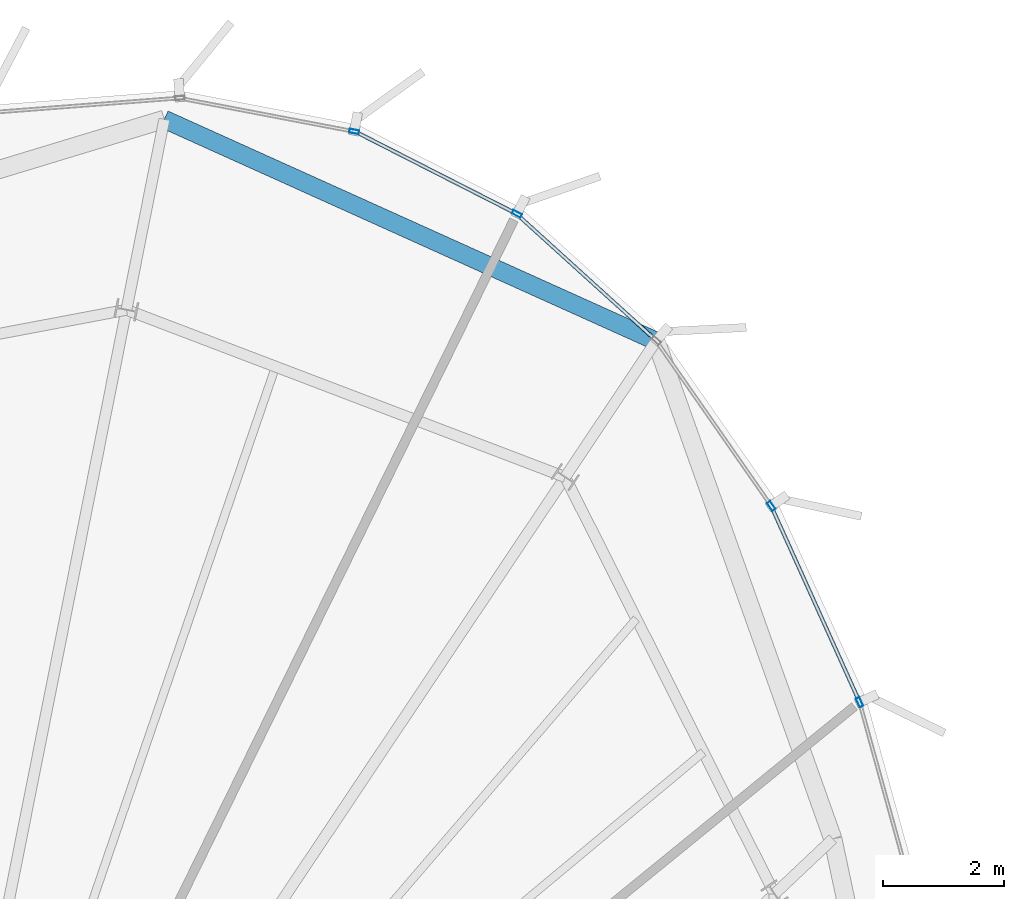
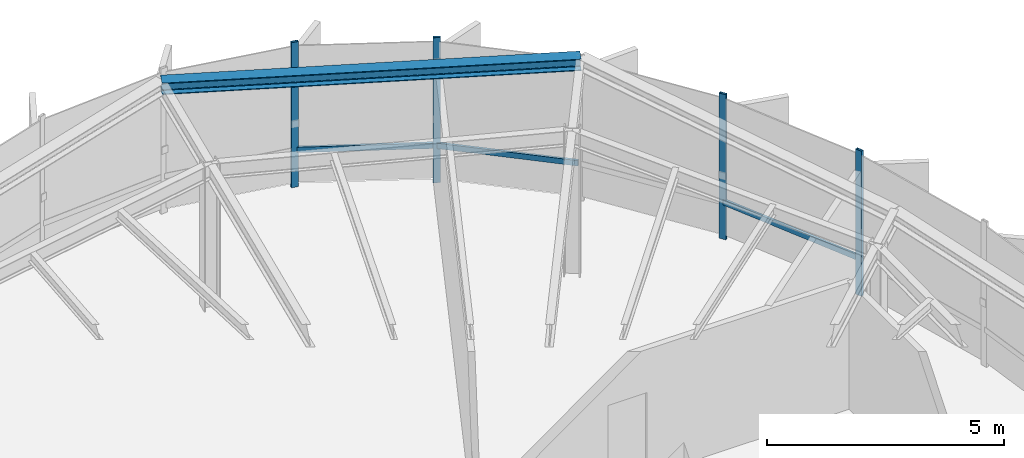
# One storey, part 19 of 26: 7 members, 1 beam, 2 elements without a shape of their own.
"""IFC4 building model written with IfcOpenShell, lengths in metres."""

from ifc_helpers import new_model, si_unit, direction, frame, origin, origin_2d, place, context, subcontext, project, spatial, hollow_rectangle, i_section, extrude, source, transform, mapped, material, layer, layer_set, material_profile, profile_set, type_object, element, aggregate, save


model = new_model("IFC4")

# Units and contexts
model_context = context("Model", 3, precision=1e-05, world=origin(), true_north=direction((0.0, 1.0)))
body_context = subcontext(model_context, "Body", "Model", "MODEL_VIEW")
ifc_project = project(units=[si_unit("LENGTHUNIT", "METRE"), si_unit("AREAUNIT", "SQUARE_METRE"), si_unit("VOLUMEUNIT", "CUBIC_METRE"), si_unit("PLANEANGLEUNIT", "RADIAN"), si_unit("MASSUNIT", "GRAM", prefix="KILO"), si_unit("THERMODYNAMICTEMPERATUREUNIT", "KELVIN")], contexts=[model_context])

# Site, building, storey
site_placement = place(None, origin())
site = spatial("IfcSite", under=ifc_project, at=site_placement, CompositionType="ELEMENT")
building_placement = place(site_placement, origin())
building = spatial("IfcBuilding", under=site, at=building_placement, Name="Kethvar Cultural Tower", CompositionType="ELEMENT")
storey_placement = place(building_placement, frame((0.0, 0.0, 320.300048828125)))
storey = spatial("IfcBuildingStorey", under=building, at=storey_placement, Name="L85", CompositionType="ELEMENT", Elevation=320.300048828125)

# Beam
ifc_material_1 = material(Name="Steel S355J2", Category="steel")
ifc_material_profile_1 = material_profile(ifc_material_1, i_section(OverallWidth=0.300048828125, OverallDepth=0.300048828125, WebThickness=0.010986328125, FlangeThickness=0.01904296875, FilletRadius=0.027099609375, at=origin_2d()), Name="Steel S355J2 — HEB300")
ifc_profile_set_1 = profile_set([ifc_material_profile_1], Name="Steel S355J2 — HEB300")
beam_type = type_object("IfcBeamType", Name="BM-SP300", PredefinedType="SPANDREL", material=ifc_profile_set_1)
shared_shape_1 = source(origin(), body_context, "Body", "SweptSolid", [
    extrude(i_section(OverallWidth=0.300048828125, OverallDepth=0.300048828125, WebThickness=0.010986328125, FlangeThickness=0.01904296875, FilletRadius=0.027099609375, at=origin_2d()), origin(), (0.0, 0.0, 1.0), 8.888671875),
])
beam_placement = place(storey_placement, frame((59.3720703125, 46.615234375, 3.5830078125), z_axis=(-0.911557287322, 0.411173092419, 0.0), x_axis=(-0.411173092419, -0.911557287322, 0.0)))
element("IfcBeam", 1, at=beam_placement, inside=storey, type_object=beam_type, Name="L85 Perimeter Spandrel Beam SP-03", PredefinedType="SPANDREL", context=body_context, shape_type="MappedRepresentation", body=[
    mapped(shared_shape_1, transform((0.0, 0.0, 0.0), scale=1.0)),
])

# Curtain wall, member
ifc_material_2 = material(Name="Aluminium 6063-T6", Category="aluminium")
ifc_layer = layer(ifc_material_2, 0.179931640625, Name="Aluminium 6063-T6", Category="aluminium")
ifc_layer_set = layer_set([ifc_layer], Name="Aluminium 6063-T6 (180 mm)")
curtain_wall_type = type_object("IfcCurtainWallType", Name="CW-SYS-06-CROWN", PredefinedType="NOTDEFINED", material=ifc_layer_set)
curtain_wall_1_placement = place(storey_placement, origin())
curtain_wall_1 = element("IfcCurtainWall", 2, at=curtain_wall_1_placement, inside=storey, type_object=curtain_wall_type, Name="L85 Curtain Wall Run 01", PredefinedType="NOTDEFINED")
ifc_material_profile_2 = material_profile(ifc_material_2, hollow_rectangle(XDim=0.06494140625, YDim=0.159912109375, WallThickness=0.0048828125, at=origin_2d()), Name="Aluminium 6063-T6 — RHS160x65x5")
ifc_profile_set_2 = profile_set([ifc_material_profile_2], Name="Aluminium 6063-T6 — RHS160x65x5")
member_type_1 = type_object("IfcMemberType", Name="CW-SYS-06-CROWN-MUL", PredefinedType="MULLION", material=ifc_profile_set_2)
shared_shape_2 = source(origin(), body_context, "Body", "SweptSolid", [
    extrude(hollow_rectangle(XDim=0.06494140625, YDim=0.159912109375, WallThickness=0.0048828125, at=origin_2d()), origin(), (0.0, 0.0, 1.0), 3.73486328125),
])
member_1_placement = place(storey_placement, frame((54.39794921875, 50.068603515625, 0.0), z_axis=(0.0, 0.0, 1.0), x_axis=(-0.187569896745, -0.982251257996, 0.0)))
member_1 = element("IfcMember", 3, at=member_1_placement, type_object=member_type_1, Name="CW-L85-R01 Mullion 1", PredefinedType="MULLION", context=body_context, shape_type="MappedRepresentation", body=[
    mapped(shared_shape_2, transform((0.0, 0.0, 0.0), scale=1.0)),
])
aggregate(curtain_wall_1, [member_1])

# Curtain wall, members
curtain_wall_2_placement = place(storey_placement, origin())
curtain_wall_2 = element("IfcCurtainWall", 4, at=curtain_wall_2_placement, inside=storey, type_object=curtain_wall_type, Name="L85 Curtain Wall Run 06", PredefinedType="NOTDEFINED")
member_2_placement = place(storey_placement, frame((62.727294921875, 40.66552734375, 0.0), z_axis=(0.0, 0.0, 1.0), x_axis=(-0.911546866716, -0.411196193781, 0.0)))
member_2 = element("IfcMember", 5, at=member_2_placement, type_object=member_type_1, Name="CW-L85-R06 Mullion 3", PredefinedType="MULLION", context=body_context, shape_type="MappedRepresentation", body=[
    mapped(shared_shape_2, transform((0.0, 0.0, 0.0), scale=1.0)),
])
member_3_placement = place(storey_placement, frame((61.271484375, 43.897705078125, 0.0), z_axis=(0.0, 0.0, 1.0), x_axis=(-0.820441359856, -0.571730684009, 0.0)))
member_3 = element("IfcMember", 6, at=member_3_placement, type_object=member_type_1, Name="CW-L85-R06 Mullion 4", PredefinedType="MULLION", context=body_context, shape_type="MappedRepresentation", body=[
    mapped(shared_shape_2, transform((0.0, 0.0, 0.0), scale=1.0)),
])
member_4_placement = place(storey_placement, frame((57.079345703125, 48.7109375, 0.0), z_axis=(0.0, 0.0, 1.0), x_axis=(-0.453834982851, -0.891085746907, 0.0)))
member_4 = element("IfcMember", 7, at=member_4_placement, type_object=member_type_1, Name="CW-L85-R06 Mullion 6", PredefinedType="MULLION", context=body_context, shape_type="MappedRepresentation", body=[
    mapped(shared_shape_2, transform((0.0, 0.0, 0.0), scale=1.0)),
])
ifc_material_profile_3 = material_profile(ifc_material_2, hollow_rectangle(XDim=0.06005859375, YDim=0.139892578125, WallThickness=0.0048828125, at=origin_2d()), Name="Aluminium 6063-T6 — RHS140x60x5")
ifc_profile_set_3 = profile_set([ifc_material_profile_3], Name="Aluminium 6063-T6 — RHS140x60x5")
member_type_2 = type_object("IfcMemberType", Name="CW-SYS-06-CROWN-TRN", PredefinedType="USERDEFINED", material=ifc_profile_set_3)
shared_shape_3 = source(origin(), body_context, "Body", "SweptSolid", [
    extrude(hollow_rectangle(XDim=0.06005859375, YDim=0.139892578125, WallThickness=0.0048828125, at=origin_2d()), origin(), (0.0, 0.0, 1.0), 3.4736328125),
])
member_5_placement = place(storey_placement, frame((62.7080078125, 40.7080078125, 0.949951171875), z_axis=(-0.411153559817, 0.911566097576, 0.0), x_axis=(-0.911566097576, -0.411153559817, 0.0)))
member_5 = element("IfcMember", 8, at=member_5_placement, type_object=member_type_2, Name="CW-L85-R06 Transom 3", ObjectType="TRANSOM", PredefinedType="USERDEFINED", context=body_context, shape_type="MappedRepresentation", body=[
    mapped(shared_shape_3, transform((0.0, 0.0, 0.0), scale=1.0)),
])
shared_shape_4 = source(origin(), body_context, "Body", "SweptSolid", [
    extrude(hollow_rectangle(XDim=0.06005859375, YDim=0.139892578125, WallThickness=0.0048828125, at=origin_2d()), origin(), (0.0, 0.0, 1.0), 3.0400390625),
])
member_6_placement = place(storey_placement, frame((59.34033203125, 46.65576171875, 0.949951171875), z_axis=(-0.740909524833, 0.671604851093, 0.0), x_axis=(-0.671604851093, -0.740909524833, 0.0)))
member_6 = element("IfcMember", 9, at=member_6_placement, type_object=member_type_2, Name="CW-L85-R06 Transom 5", ObjectType="TRANSOM", PredefinedType="USERDEFINED", context=body_context, shape_type="MappedRepresentation", body=[
    mapped(shared_shape_4, transform((0.0, 0.0, 0.0), scale=1.0)),
])
shared_shape_5 = source(origin(), body_context, "Body", "SweptSolid", [
    extrude(hollow_rectangle(XDim=0.06005859375, YDim=0.139892578125, WallThickness=0.0048828125, at=origin_2d()), origin(), (0.0, 0.0, 1.0), 2.90478515625),
])
member_7_placement = place(storey_placement, frame((57.03759765625, 48.732177734375, 0.949951171875), z_axis=(-0.891108119569, 0.453791052401, 0.0), x_axis=(-0.453791052401, -0.891108119569, 0.0)))
member_7 = element("IfcMember", 10, at=member_7_placement, type_object=member_type_2, Name="CW-L85-R06 Transom 6", ObjectType="TRANSOM", PredefinedType="USERDEFINED", context=body_context, shape_type="MappedRepresentation", body=[
    mapped(shared_shape_5, transform((0.0, 0.0, 0.0), scale=1.0)),
])
aggregate(curtain_wall_2, [member_2, member_3, member_4, member_5, member_6, member_7])

save(model, "model.ifc")
